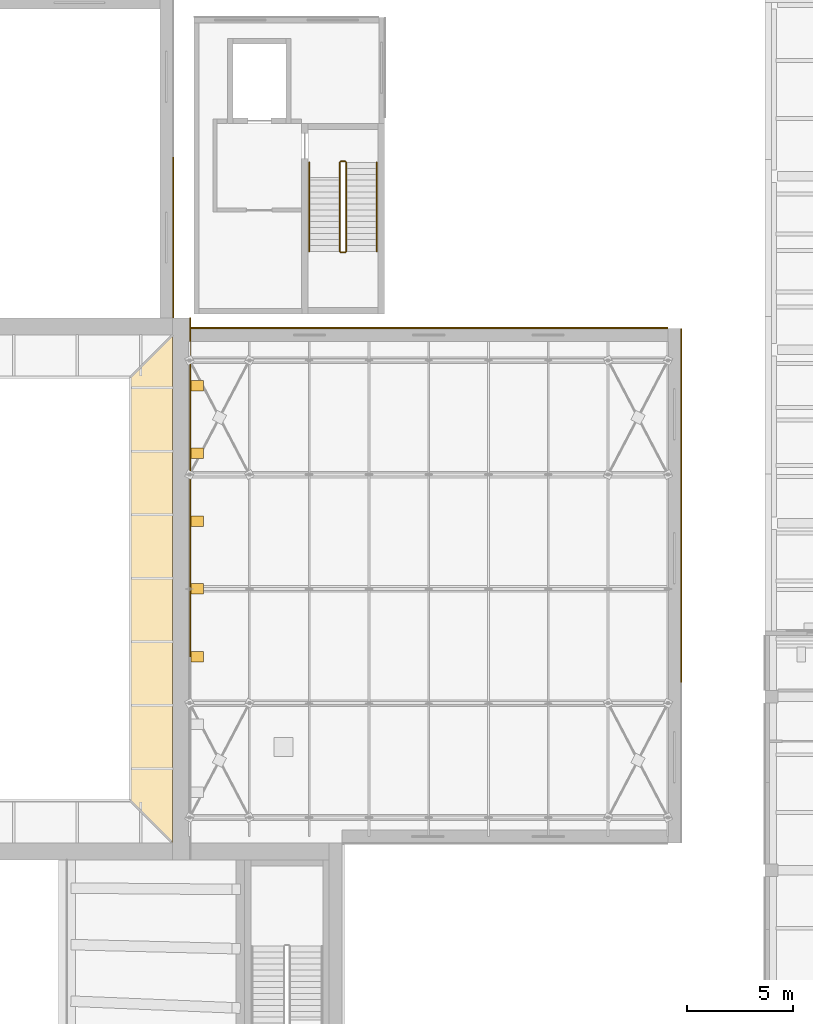
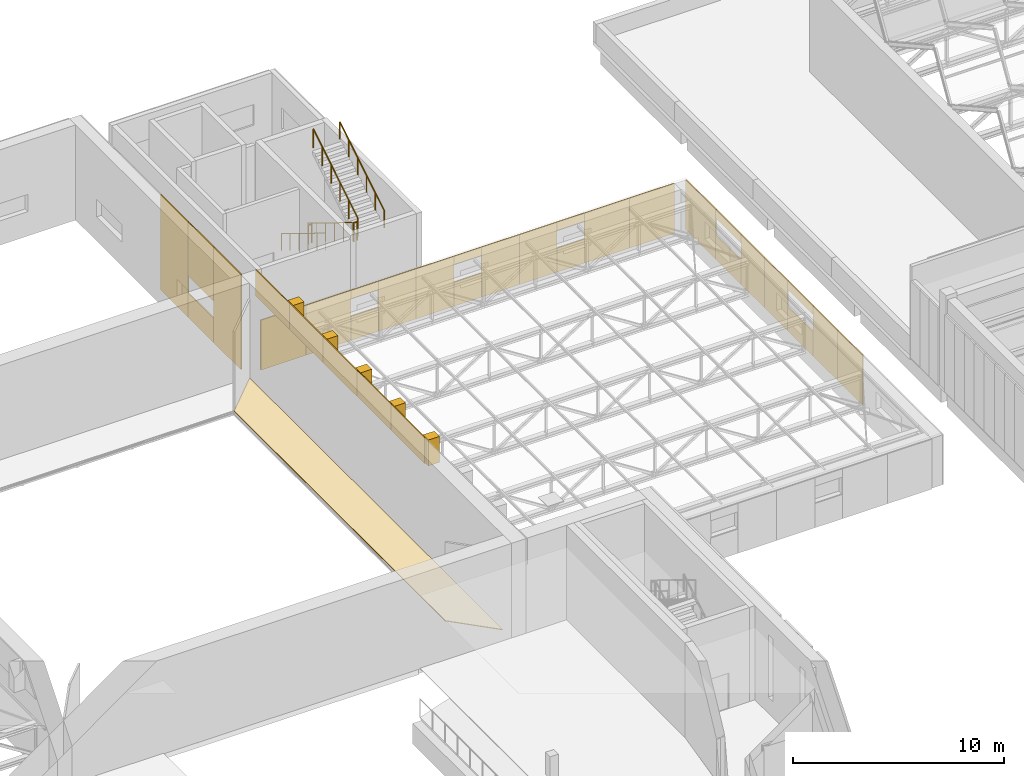
# One storey, part 123 of 132: 38 coverings, 6 railings.
"""IFC4 building model written with IfcOpenShell, lengths in metres."""

from ifc_helpers import new_model, si_unit, direction, frame, origin, origin_2d, place, context, subcontext, project, spatial, polyline, rectangle, circle, outline, extrude, material, layer, layer_set, type_object, element, save


model = new_model("IFC4")

# Units and contexts
model_context = context("Model", 3, precision=1e-05, world=origin(), true_north=direction((0.0, 1.0)))
body_context = subcontext(model_context, "Body", "Model", "MODEL_VIEW")
ifc_project = project(units=[si_unit("LENGTHUNIT", "METRE"), si_unit("AREAUNIT", "SQUARE_METRE"), si_unit("VOLUMEUNIT", "CUBIC_METRE"), si_unit("PLANEANGLEUNIT", "RADIAN"), si_unit("MASSUNIT", "GRAM", prefix="KILO")], contexts=[model_context])

# Site, building, storey
site_placement = place(None, origin())
site = spatial("IfcSite", under=ifc_project, at=site_placement, CompositionType="ELEMENT")
building_placement = place(site_placement, origin())
building = spatial("IfcBuilding", under=site, at=building_placement, Name="Lunette Opera House", CompositionType="ELEMENT")
storey_placement = place(building_placement, frame((0.0, 0.0, 17.0)))
storey = spatial("IfcBuildingStorey", under=building, at=storey_placement, Name="L03", CompositionType="ELEMENT", Elevation=17.0)

# Railings
ifc_material_1 = material(Name="Steel S355", Category="steel")
railing_type_1 = type_object("IfcRailingType", Name="STAIR GUARD 1100", PredefinedType="GUARDRAIL", material=ifc_material_1)
railing_1_placement = place(storey_placement, frame((115.89990234375, 128.14990234375, 0.171875)))
element("IfcRailing", 1, at=railing_1_placement, inside=storey, type_object=railing_type_1, Name="L03 ST12 stair guard 1", PredefinedType="GUARDRAIL", context=body_context, shape_type="SweptSolid", body=[
    extrude(circle(Radius=0.02392578125, at=origin_2d()), frame((0.0, 0.0, 1.076171875), z_axis=(0.0, -0.852242915053, 0.523146264196), x_axis=(1.0, 0.0, 0.0)), (0.0, 0.0, 1.0), 4.92822265625),
    extrude(circle(Radius=0.02099609375, at=origin_2d()), origin(), (0.0, 0.0, 1.0), 1.052001953125),
    extrude(circle(Radius=0.02099609375, at=origin_2d()), frame((0.0, -0.840087890625, 0.515625)), (0.0, 0.0, 1.0), 1.052001953125),
    extrude(circle(Radius=0.02099609375, at=origin_2d()), frame((0.0, -1.679931640625, 1.03125)), (0.0, 0.0, 1.0), 1.052001953125),
    extrude(circle(Radius=0.02099609375, at=origin_2d()), frame((0.0, -2.52001953125, 1.546875)), (0.0, 0.0, 1.0), 1.052001953125),
    extrude(circle(Radius=0.02099609375, at=origin_2d()), frame((0.0, -3.35986328125, 2.0625)), (0.0, 0.0, 1.0), 1.052001953125),
    extrude(circle(Radius=0.02099609375, at=origin_2d()), frame((0.0, -4.199951171875, 2.578125)), (0.0, 0.0, 1.0), 1.052001953125),
])
railing_2_placement = place(storey_placement, frame((115.949951171875, 123.89990234375, 2.75)))
element("IfcRailing", 2, at=railing_2_placement, inside=storey, type_object=railing_type_1, Name="L03 ST12 stair guard 2", PredefinedType="GUARDRAIL", context=body_context, shape_type="SweptSolid", body=[
    extrude(circle(Radius=0.02392578125, at=origin_2d()), frame((0.0, 0.0, 1.076171875), z_axis=(1.0, 0.0, 0.0), x_axis=(0.0, 1.0, 0.0)), (0.0, 0.0, 1.0), 0.199951171875),
    extrude(circle(Radius=0.02099609375, at=origin_2d()), origin(), (0.0, 0.0, 1.0), 1.052001953125),
    extrude(circle(Radius=0.02099609375, at=origin_2d()), frame((0.199951171875, 0.0, 0.0)), (0.0, 0.0, 1.0), 1.052001953125),
])
railing_3_placement = place(storey_placement, frame((116.199951171875, 123.949951171875, 2.921875)))
element("IfcRailing", 3, at=railing_3_placement, inside=storey, type_object=railing_type_1, Name="L03 ST12 stair guard 3", PredefinedType="GUARDRAIL", context=body_context, shape_type="SweptSolid", body=[
    extrude(circle(Radius=0.02392578125, at=origin_2d()), frame((0.0, 0.0, 1.076171875), z_axis=(0.0, 0.852242915053, 0.523146264196), x_axis=(-1.0, 0.0, 0.0)), (0.0, 0.0, 1.0), 4.92822265625),
    extrude(circle(Radius=0.02099609375, at=origin_2d()), origin(), (0.0, 0.0, 1.0), 1.052001953125),
    extrude(circle(Radius=0.02099609375, at=origin_2d()), frame((0.0, 0.840087890625, 0.515625)), (0.0, 0.0, 1.0), 1.052001953125),
    extrude(circle(Radius=0.02099609375, at=origin_2d()), frame((0.0, 1.679931640625, 1.03125)), (0.0, 0.0, 1.0), 1.052001953125),
    extrude(circle(Radius=0.02099609375, at=origin_2d()), frame((0.0, 2.52001953125, 1.546875)), (0.0, 0.0, 1.0), 1.052001953125),
    extrude(circle(Radius=0.02099609375, at=origin_2d()), frame((0.0, 3.35986328125, 2.0625)), (0.0, 0.0, 1.0), 1.052001953125),
    extrude(circle(Radius=0.02099609375, at=origin_2d()), frame((0.0, 4.199951171875, 2.578125)), (0.0, 0.0, 1.0), 1.052001953125),
])
railing_4_placement = place(storey_placement, frame((115.949951171875, 128.199951171875, 0.0)))
element("IfcRailing", 4, at=railing_4_placement, inside=storey, type_object=railing_type_1, Name="L03 ST12 stair guard 4", PredefinedType="GUARDRAIL", context=body_context, shape_type="SweptSolid", body=[
    extrude(circle(Radius=0.02392578125, at=origin_2d()), frame((0.0, 0.0, 1.076171875), z_axis=(1.0, 0.0, 0.0), x_axis=(0.0, 1.0, 0.0)), (0.0, 0.0, 1.0), 0.199951171875),
    extrude(circle(Radius=0.02099609375, at=origin_2d()), origin(), (0.0, 0.0, 1.0), 1.052001953125),
    extrude(circle(Radius=0.02099609375, at=origin_2d()), frame((0.199951171875, 0.0, 0.0)), (0.0, 0.0, 1.0), 1.052001953125),
])
ifc_material_2 = material(Name="Steel S355", Category="steel")
railing_type_2 = type_object("IfcRailingType", Name="STAIR HANDRAIL 1000", PredefinedType="HANDRAIL", material=ifc_material_2)
railing_5_placement = place(storey_placement, frame((114.449951171875, 128.14990234375, 0.171875)))
element("IfcRailing", 5, at=railing_5_placement, inside=storey, type_object=railing_type_2, Name="L03 ST12 stair handrail 1", PredefinedType="HANDRAIL", context=body_context, shape_type="SweptSolid", body=[
    extrude(circle(Radius=0.02392578125, at=origin_2d()), frame((0.0, 0.0, 0.97607421875), z_axis=(0.0, -0.852242915053, 0.523146264196), x_axis=(1.0, 0.0, 0.0)), (0.0, 0.0, 1.0), 4.92822265625),
    extrude(circle(Radius=0.02099609375, at=origin_2d()), origin(), (0.0, 0.0, 1.0), 0.951904296875),
    extrude(circle(Radius=0.02099609375, at=origin_2d()), frame((0.0, -0.840087890625, 0.515625)), (0.0, 0.0, 1.0), 0.951904296875),
    extrude(circle(Radius=0.02099609375, at=origin_2d()), frame((0.0, -1.679931640625, 1.03125)), (0.0, 0.0, 1.0), 0.951904296875),
    extrude(circle(Radius=0.02099609375, at=origin_2d()), frame((0.0, -2.52001953125, 1.546875)), (0.0, 0.0, 1.0), 0.951904296875),
    extrude(circle(Radius=0.02099609375, at=origin_2d()), frame((0.0, -3.35986328125, 2.0625)), (0.0, 0.0, 1.0), 0.951904296875),
    extrude(circle(Radius=0.02099609375, at=origin_2d()), frame((0.0, -4.199951171875, 2.578125)), (0.0, 0.0, 1.0), 0.951904296875),
])
railing_6_placement = place(storey_placement, frame((117.64990234375, 123.949951171875, 2.921875)))
element("IfcRailing", 6, at=railing_6_placement, inside=storey, type_object=railing_type_2, Name="L03 ST12 stair handrail 2", PredefinedType="HANDRAIL", context=body_context, shape_type="SweptSolid", body=[
    extrude(circle(Radius=0.02392578125, at=origin_2d()), frame((0.0, 0.0, 0.97607421875), z_axis=(0.0, 0.852242915053, 0.523146264196), x_axis=(-1.0, 0.0, 0.0)), (0.0, 0.0, 1.0), 4.92822265625),
    extrude(circle(Radius=0.02099609375, at=origin_2d()), origin(), (0.0, 0.0, 1.0), 0.951904296875),
    extrude(circle(Radius=0.02099609375, at=origin_2d()), frame((0.0, 0.840087890625, 0.515625)), (0.0, 0.0, 1.0), 0.951904296875),
    extrude(circle(Radius=0.02099609375, at=origin_2d()), frame((0.0, 1.679931640625, 1.03125)), (0.0, 0.0, 1.0), 0.951904296875),
    extrude(circle(Radius=0.02099609375, at=origin_2d()), frame((0.0, 2.52001953125, 1.546875)), (0.0, 0.0, 1.0), 0.951904296875),
    extrude(circle(Radius=0.02099609375, at=origin_2d()), frame((0.0, 3.35986328125, 2.0625)), (0.0, 0.0, 1.0), 0.951904296875),
    extrude(circle(Radius=0.02099609375, at=origin_2d()), frame((0.0, 4.199951171875, 2.578125)), (0.0, 0.0, 1.0), 0.951904296875),
])

# Coverings
ifc_material_3 = material(Name="Aluminium standing seam cladding", Category="aluminium")
ifc_layer_1 = layer(ifc_material_3, 0.06005859375)
ifc_layer_set_1 = layer_set([ifc_layer_1], Name="Aluminium standing seam cladding")
covering_type_1 = type_object("IfcCoveringType", Name="STANDING SEAM CLADDING 60", PredefinedType="CLADDING", material=ifc_layer_set_1)
for number, where, z_axis, x_axis, name in (
    (7, (108.830078125, 106.39990234375, 4.0), (0.0, 0.0, 1.0), (0.0, 1.0, 0.0), "Standing seam cladding WE L03 03"),
    (8, (108.830078125, 109.60009765625, 4.0), (0.0, 0.0, 1.0), (0.0, 1.0, 0.0), "Standing seam cladding WE L03 04"),
    (9, (108.830078125, 112.800048828125, 4.0), (0.0, 0.0, 1.0), (0.0, 1.0, 0.0), "Standing seam cladding WE L03 05"),
    (10, (108.830078125, 116.0, 4.0), (0.0, 0.0, 1.0), (0.0, 1.0, 0.0), "Standing seam cladding WE L03 06"),
    (11, (108.830078125, 119.199951171875, 4.0), (0.0, 0.0, 1.0), (0.0, 1.0, 0.0), "Standing seam cladding WE L03 07"),
):
    element("IfcCovering", number, at=place(storey_placement, frame(where, z_axis=z_axis, x_axis=x_axis)), inside=storey, type_object=covering_type_1, Name=name, PredefinedType="CLADDING", context=body_context, shape_type="SweptSolid", body=[
        extrude(rectangle(XDim=3.199951171875, YDim=0.06005859375, at=origin_2d()), origin(), (0.0, 0.0, 1.0), 1.5),
    ])
for number, where, z_axis, x_axis, name in (
    (12, (132.030029296875, 104.75, 0.0), (0.0, 0.0, 1.0), (0.0, 1.0, 0.0), "Standing seam cladding SE-E-1 L03 21"),
    (13, (132.030029296875, 107.0830078125, 0.0), (0.0, 0.0, 1.0), (0.0, 1.0, 0.0), "Standing seam cladding SE-E-1 L03 22"),
):
    element("IfcCovering", number, at=place(storey_placement, frame(where, z_axis=z_axis, x_axis=x_axis)), inside=storey, type_object=covering_type_1, Name=name, PredefinedType="CLADDING", context=body_context, shape_type="SweptSolid", body=[
        extrude(rectangle(XDim=2.3330078125, YDim=0.06005859375, at=origin_2d()), origin(), (0.0, 0.0, 1.0), 2.8798828125),
    ])
covering_1_placement = place(storey_placement, frame((132.030029296875, 109.449951171875, 0.0), z_axis=(0.0, 0.0, 1.0), x_axis=(0.0, 1.0, 0.0)))
element("IfcCovering", 14, at=covering_1_placement, inside=storey, type_object=covering_type_1, Name="Standing seam cladding SE-E-1 L03 30", PredefinedType="CLADDING", context=body_context, shape_type="SweptSolid", body=[
    extrude(rectangle(XDim=2.39990234375, YDim=0.06005859375, at=origin_2d()), origin(), (0.0, 0.0, 1.0), 1.39990234375),
])
covering_2_placement = place(storey_placement, frame((132.030029296875, 109.449951171875, 2.39990234375), z_axis=(0.0, 0.0, 1.0), x_axis=(0.0, 1.0, 0.0)))
element("IfcCovering", 15, at=covering_2_placement, inside=storey, type_object=covering_type_1, Name="Standing seam cladding SE-E-1 L03 31", PredefinedType="CLADDING", context=body_context, shape_type="SweptSolid", body=[
    extrude(rectangle(XDim=2.39990234375, YDim=0.06005859375, at=origin_2d()), origin(), (0.0, 0.0, 1.0), 0.47998046875),
])
for number, where, z_axis, x_axis, name in (
    (16, (132.030029296875, 111.75, 0.0), (0.0, 0.0, 1.0), (0.0, 1.0, 0.0), "Standing seam cladding SE-E-1 L03 40"),
    (17, (132.030029296875, 113.949951171875, 0.0), (0.0, 0.0, 1.0), (0.0, 1.0, 0.0), "Standing seam cladding SE-E-1 L03 41"),
):
    element("IfcCovering", number, at=place(storey_placement, frame(where, z_axis=z_axis, x_axis=x_axis)), inside=storey, type_object=covering_type_1, Name=name, PredefinedType="CLADDING", context=body_context, shape_type="SweptSolid", body=[
        extrude(rectangle(XDim=2.199951171875, YDim=0.06005859375, at=origin_2d()), origin(), (0.0, 0.0, 1.0), 2.8798828125),
    ])
covering_3_placement = place(storey_placement, frame((132.030029296875, 116.25, 0.0), z_axis=(0.0, 0.0, 1.0), x_axis=(0.0, 1.0, 0.0)))
element("IfcCovering", 18, at=covering_3_placement, inside=storey, type_object=covering_type_1, Name="Standing seam cladding SE-E-1 L03 50", PredefinedType="CLADDING", context=body_context, shape_type="SweptSolid", body=[
    extrude(rectangle(XDim=2.39990234375, YDim=0.06005859375, at=origin_2d()), origin(), (0.0, 0.0, 1.0), 1.39990234375),
])
covering_4_placement = place(storey_placement, frame((132.030029296875, 116.25, 2.39990234375), z_axis=(0.0, 0.0, 1.0), x_axis=(0.0, 1.0, 0.0)))
element("IfcCovering", 19, at=covering_4_placement, inside=storey, type_object=covering_type_1, Name="Standing seam cladding SE-E-1 L03 51", PredefinedType="CLADDING", context=body_context, shape_type="SweptSolid", body=[
    extrude(rectangle(XDim=2.39990234375, YDim=0.06005859375, at=origin_2d()), origin(), (0.0, 0.0, 1.0), 0.47998046875),
])
covering_5_placement = place(storey_placement, frame((132.030029296875, 118.875, 0.0), z_axis=(0.0, 0.0, 1.0), x_axis=(0.0, 1.0, 0.0)))
element("IfcCovering", 20, at=covering_5_placement, inside=storey, type_object=covering_type_1, Name="Standing seam cladding SE-E-1 L03 60", PredefinedType="CLADDING", context=body_context, shape_type="SweptSolid", body=[
    extrude(rectangle(XDim=2.85009765625, YDim=0.06005859375, at=origin_2d()), origin(), (0.0, 0.0, 1.0), 2.8798828125),
])
for number, where, z_axis, x_axis, name in (
    (21, (110.029052734375, 120.330078125, 0.0), (0.0, 0.0, 1.0), (1.0, 0.0, 0.0), "Standing seam cladding SE-N-1 L03 00"),
    (22, (112.488037109375, 120.330078125, 0.0), (0.0, 0.0, 1.0), (1.0, 0.0, 0.0), "Standing seam cladding SE-N-1 L03 01"),
):
    element("IfcCovering", number, at=place(storey_placement, frame(where, z_axis=z_axis, x_axis=x_axis)), inside=storey, type_object=covering_type_1, Name=name, PredefinedType="CLADDING", context=body_context, shape_type="SweptSolid", body=[
        extrude(rectangle(XDim=2.4580078125, YDim=0.06005859375, at=origin_2d()), origin(), (0.0, 0.0, 1.0), 2.8798828125),
    ])
covering_6_placement = place(storey_placement, frame((114.467041015625, 120.330078125, 0.0), z_axis=(0.0, 0.0, 1.0), x_axis=(1.0, 0.0, 0.0)))
element("IfcCovering", 23, at=covering_6_placement, inside=storey, type_object=covering_type_1, Name="Standing seam cladding SE-N-1 L03 10", PredefinedType="CLADDING", context=body_context, shape_type="SweptSolid", body=[
    extrude(rectangle(XDim=1.5, YDim=0.06005859375, at=origin_2d()), origin(), (0.0, 0.0, 1.0), 1.39990234375),
])
covering_7_placement = place(storey_placement, frame((114.467041015625, 120.330078125, 2.39990234375), z_axis=(0.0, 0.0, 1.0), x_axis=(1.0, 0.0, 0.0)))
element("IfcCovering", 24, at=covering_7_placement, inside=storey, type_object=covering_type_1, Name="Standing seam cladding SE-N-1 L03 11", PredefinedType="CLADDING", context=body_context, shape_type="SweptSolid", body=[
    extrude(rectangle(XDim=1.5, YDim=0.06005859375, at=origin_2d()), origin(), (0.0, 0.0, 1.0), 0.47998046875),
])
covering_8_placement = place(storey_placement, frame((116.25, 120.330078125, 0.0), z_axis=(0.0, 0.0, 1.0), x_axis=(1.0, 0.0, 0.0)))
element("IfcCovering", 25, at=covering_8_placement, inside=storey, type_object=covering_type_1, Name="Standing seam cladding SE-N-1 L03 20", PredefinedType="CLADDING", context=body_context, shape_type="SweptSolid", body=[
    extrude(rectangle(XDim=2.06591796875, YDim=0.06005859375, at=origin_2d()), origin(), (0.0, 0.0, 1.0), 2.8798828125),
])
covering_9_placement = place(storey_placement, frame((118.31689453125, 120.330078125, 0.0), z_axis=(0.0, 0.0, 1.0), x_axis=(1.0, 0.0, 0.0)))
element("IfcCovering", 26, at=covering_9_placement, inside=storey, type_object=covering_type_1, Name="Standing seam cladding SE-N-1 L03 21", PredefinedType="CLADDING", context=body_context, shape_type="SweptSolid", body=[
    extrude(rectangle(XDim=2.06689453125, YDim=0.06005859375, at=origin_2d()), origin(), (0.0, 0.0, 1.0), 2.8798828125),
])
covering_10_placement = place(storey_placement, frame((120.10009765625, 120.330078125, 0.0), z_axis=(0.0, 0.0, 1.0), x_axis=(1.0, 0.0, 0.0)))
element("IfcCovering", 27, at=covering_10_placement, inside=storey, type_object=covering_type_1, Name="Standing seam cladding SE-N-1 L03 30", PredefinedType="CLADDING", context=body_context, shape_type="SweptSolid", body=[
    extrude(rectangle(XDim=1.5, YDim=0.06005859375, at=origin_2d()), origin(), (0.0, 0.0, 1.0), 1.39990234375),
])
covering_11_placement = place(storey_placement, frame((120.10009765625, 120.330078125, 2.39990234375), z_axis=(0.0, 0.0, 1.0), x_axis=(1.0, 0.0, 0.0)))
element("IfcCovering", 28, at=covering_11_placement, inside=storey, type_object=covering_type_1, Name="Standing seam cladding SE-N-1 L03 31", PredefinedType="CLADDING", context=body_context, shape_type="SweptSolid", body=[
    extrude(rectangle(XDim=1.5, YDim=0.06005859375, at=origin_2d()), origin(), (0.0, 0.0, 1.0), 0.47998046875),
])
for number, where, z_axis, x_axis, name in (
    (29, (121.883056640625, 120.330078125, 0.0), (0.0, 0.0, 1.0), (1.0, 0.0, 0.0), "Standing seam cladding SE-N-1 L03 40"),
    (30, (123.949951171875, 120.330078125, 0.0), (0.0, 0.0, 1.0), (1.0, 0.0, 0.0), "Standing seam cladding SE-N-1 L03 41"),
):
    element("IfcCovering", number, at=place(storey_placement, frame(where, z_axis=z_axis, x_axis=x_axis)), inside=storey, type_object=covering_type_1, Name=name, PredefinedType="CLADDING", context=body_context, shape_type="SweptSolid", body=[
        extrude(rectangle(XDim=2.06591796875, YDim=0.06005859375, at=origin_2d()), origin(), (0.0, 0.0, 1.0), 2.8798828125),
    ])
covering_12_placement = place(storey_placement, frame((125.73291015625, 120.330078125, 0.0), z_axis=(0.0, 0.0, 1.0), x_axis=(1.0, 0.0, 0.0)))
element("IfcCovering", 31, at=covering_12_placement, inside=storey, type_object=covering_type_1, Name="Standing seam cladding SE-N-1 L03 50", PredefinedType="CLADDING", context=body_context, shape_type="SweptSolid", body=[
    extrude(rectangle(XDim=1.5, YDim=0.06005859375, at=origin_2d()), origin(), (0.0, 0.0, 1.0), 1.39990234375),
])
covering_13_placement = place(storey_placement, frame((125.73291015625, 120.330078125, 2.39990234375), z_axis=(0.0, 0.0, 1.0), x_axis=(1.0, 0.0, 0.0)))
element("IfcCovering", 32, at=covering_13_placement, inside=storey, type_object=covering_type_1, Name="Standing seam cladding SE-N-1 L03 51", PredefinedType="CLADDING", context=body_context, shape_type="SweptSolid", body=[
    extrude(rectangle(XDim=1.5, YDim=0.06005859375, at=origin_2d()), origin(), (0.0, 0.0, 1.0), 0.47998046875),
])
for number, where, z_axis, x_axis, name in (
    (33, (127.7119140625, 120.330078125, 0.0), (0.0, 0.0, 1.0), (1.0, 0.0, 0.0), "Standing seam cladding SE-N-1 L03 60"),
    (34, (130.1708984375, 120.330078125, 0.0), (0.0, 0.0, 1.0), (1.0, 0.0, 0.0), "Standing seam cladding SE-N-1 L03 61"),
):
    element("IfcCovering", number, at=place(storey_placement, frame(where, z_axis=z_axis, x_axis=x_axis)), inside=storey, type_object=covering_type_1, Name=name, PredefinedType="CLADDING", context=body_context, shape_type="SweptSolid", body=[
        extrude(rectangle(XDim=2.458984375, YDim=0.06005859375, at=origin_2d()), origin(), (0.0, 0.0, 1.0), 2.8798828125),
    ])
covering_14_placement = place(storey_placement, frame((108.030029296875, 122.10009765625, 0.0), z_axis=(0.0, 0.0, 1.0), x_axis=(0.0, 1.0, 0.0)))
element("IfcCovering", 35, at=covering_14_placement, inside=storey, type_object=covering_type_1, Name="Standing seam cladding SR-E-1 L03 00", PredefinedType="CLADDING", context=body_context, shape_type="SweptSolid", body=[
    extrude(rectangle(XDim=2.60009765625, YDim=0.06005859375, at=origin_2d()), origin(), (0.0, 0.0, 1.0), 5.5),
])
covering_15_placement = place(storey_placement, frame((108.030029296875, 124.60009765625, 0.0), z_axis=(0.0, 0.0, 1.0), x_axis=(0.0, 1.0, 0.0)))
element("IfcCovering", 36, at=covering_15_placement, inside=storey, type_object=covering_type_1, Name="Standing seam cladding SR-E-1 L03 10", PredefinedType="CLADDING", context=body_context, shape_type="SweptSolid", body=[
    extrude(rectangle(XDim=2.39990234375, YDim=0.06005859375, at=origin_2d()), origin(), (0.0, 0.0, 1.0), 1.39990234375),
])
covering_16_placement = place(storey_placement, frame((108.030029296875, 124.60009765625, 2.39990234375), z_axis=(0.0, 0.0, 1.0), x_axis=(0.0, 1.0, 0.0)))
element("IfcCovering", 37, at=covering_16_placement, inside=storey, type_object=covering_type_1, Name="Standing seam cladding SR-E-1 L03 11", PredefinedType="CLADDING", context=body_context, shape_type="SweptSolid", body=[
    extrude(rectangle(XDim=2.39990234375, YDim=0.06005859375, at=origin_2d()), origin(), (0.0, 0.0, 1.0), 3.10009765625),
])
covering_17_placement = place(storey_placement, frame((108.030029296875, 127.10009765625, 0.0), z_axis=(0.0, 0.0, 1.0), x_axis=(0.0, 1.0, 0.0)))
element("IfcCovering", 38, at=covering_17_placement, inside=storey, type_object=covering_type_1, Name="Standing seam cladding SR-E-1 L03 20", PredefinedType="CLADDING", context=body_context, shape_type="SweptSolid", body=[
    extrude(rectangle(XDim=2.60009765625, YDim=0.06005859375, at=origin_2d()), origin(), (0.0, 0.0, 1.0), 5.5),
])
ifc_material_4 = material(Name="Timber", Category="wood")
ifc_layer_2 = layer(ifc_material_4, 0.0400390625)
ifc_layer_set_2 = layer_set([ifc_layer_2], Name="Timber")
covering_type_2 = type_object("IfcCoveringType", Name="TIMBER FLOOR FINISH 40", PredefinedType="FLOORING", material=ifc_layer_set_2)
covering_18_placement = place(storey_placement, origin())
element("IfcCovering", 39, at=covering_18_placement, inside=storey, type_object=covering_type_2, Name="Floor finish Fly Gallery 17 East", PredefinedType="FLOORING", context=body_context, shape_type="SweptSolid", body=[
    extrude(outline(polyline([(106.0, 98.0), (106.0, 118.0), (108.0, 120.0), (108.0, 96.0), (106.0, 98.0)])), origin(), (0.0, 0.0, 1.0), 0.0400390625),
])
ifc_material_5 = material(Name="Weathering steel plate", Category="steel")
ifc_layer_3 = layer(ifc_material_5, 0.60009765625)
ifc_layer_set_3 = layer_set([ifc_layer_3], Name="Weathering steel plate")
covering_type_3 = type_object("IfcCoveringType", Name="TOWER RIB 500 X 600", PredefinedType="CLADDING", material=ifc_layer_set_3)
for number, where, z_axis, x_axis, name in (
    (40, (109.159912109375, 104.800048828125, 4.0), (0.0, 0.0, 1.0), (0.0, 1.0, 0.0), "Tower rib WE L03 3"),
    (41, (109.159912109375, 108.0, 4.0), (0.0, 0.0, 1.0), (0.0, 1.0, 0.0), "Tower rib WE L03 4"),
    (42, (109.159912109375, 111.199951171875, 4.0), (0.0, 0.0, 1.0), (0.0, 1.0, 0.0), "Tower rib WE L03 5"),
    (43, (109.159912109375, 114.39990234375, 4.0), (0.0, 0.0, 1.0), (0.0, 1.0, 0.0), "Tower rib WE L03 6"),
    (44, (109.159912109375, 117.60009765625, 4.0), (0.0, 0.0, 1.0), (0.0, 1.0, 0.0), "Tower rib WE L03 7"),
):
    element("IfcCovering", number, at=place(storey_placement, frame(where, z_axis=z_axis, x_axis=x_axis)), inside=storey, type_object=covering_type_3, Name=name, PredefinedType="CLADDING", context=body_context, shape_type="SweptSolid", body=[
        extrude(rectangle(XDim=0.5, YDim=0.60009765625, at=origin_2d()), origin(), (0.0, 0.0, 1.0), 1.5),
    ])

save(model, "model.ifc")
